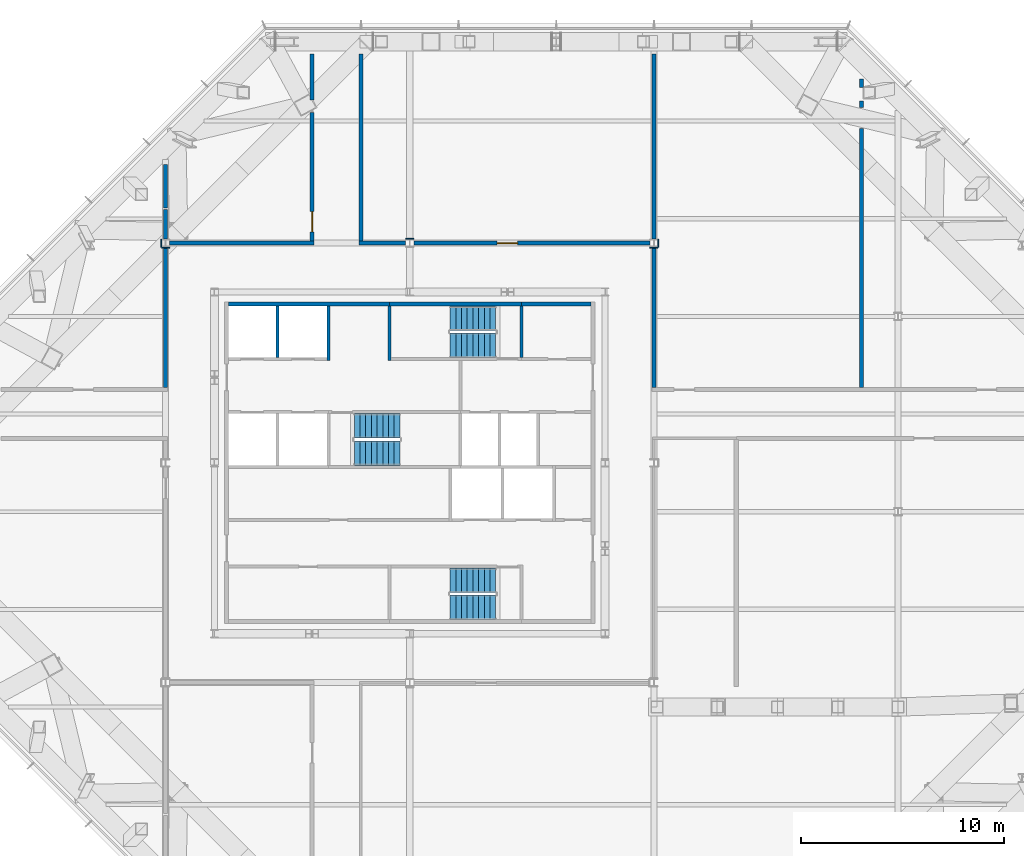
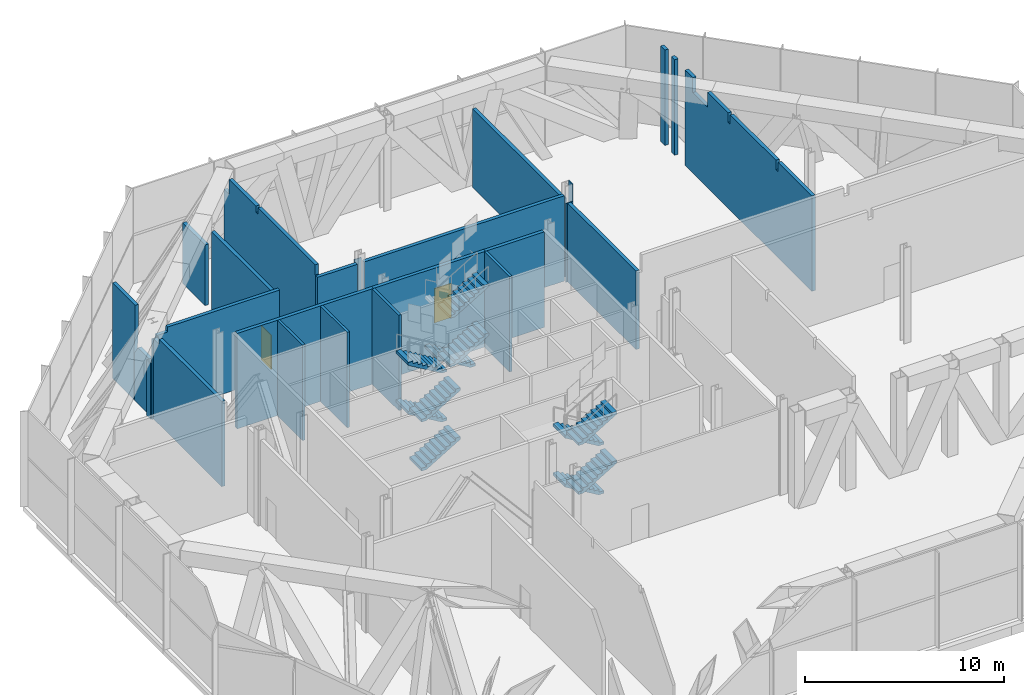
# One storey, part 15 of 18: 26 walls, 11 stair flights, 2 doors, 2 openings, 3 elements without a shape of their own.
"""IFC4 building model written with IfcOpenShell, lengths in metres."""

from ifc_helpers import new_model, si_unit, direction, frame, frame_2d, origin, place, context, subcontext, project, spatial, polyline, rectangle, outline, extrude, material, layer, layer_set, type_object, element, fill, aggregate, save


model = new_model("IFC4")

# Units and contexts
model_context = context("Model", 3, precision=1e-05, world=origin(), true_north=direction((0.0, 1.0)))
body_context = subcontext(model_context, "Body", "Model", "MODEL_VIEW")
ifc_project = project(units=[si_unit("LENGTHUNIT", "METRE"), si_unit("AREAUNIT", "SQUARE_METRE"), si_unit("VOLUMEUNIT", "CUBIC_METRE"), si_unit("PLANEANGLEUNIT", "RADIAN"), si_unit("MASSUNIT", "GRAM", prefix="KILO")], contexts=[model_context])

# Site, building, storey
site_placement = place(None, origin())
site = spatial("IfcSite", under=ifc_project, at=site_placement, CompositionType="ELEMENT")
building_placement = place(site_placement, origin())
building = spatial("IfcBuilding", under=site, at=building_placement, Name="Cairn Pilgrim Tower", CompositionType="ELEMENT")
storey_placement = place(building_placement, frame((0.0, 0.0, 204.60009765625)))
storey = spatial("IfcBuildingStorey", under=building, at=storey_placement, Name="L52", CompositionType="ELEMENT", Elevation=204.60009765625)

# Walls
ifc_material_1 = material(Name="Concrete C32/40", Category="concrete")
ifc_layer_1 = layer(ifc_material_1, 0.199951171875)
ifc_layer_set_1 = layer_set([ifc_layer_1], Name="CORE OUTER WALL 200 EI 120")
wall_type_1 = type_object("IfcWallType", Name="CORE OUTER WALL 200 EI 120", PredefinedType="SOLIDWALL", material=ifc_layer_set_1)
wall_1_placement = place(storey_placement, frame((-1.699951171875, 10.199951171875, 0.0), z_axis=(0.0, 0.0, 1.0), x_axis=(1.0, 0.0, 0.0)))
element("IfcWall", 1, at=wall_1_placement, inside=storey, type_object=wall_type_1, Name="CW:L52:H12-1", PredefinedType="SOLIDWALL", context=body_context, shape_type="SweptSolid", body=[
    extrude(rectangle(XDim=7.89990234375, YDim=0.199951171875, at=frame_2d((3.949951171875, 0.0))), origin(), (0.0, 0.0, 1.0), 5.849853515625),
])
wall_2_placement = place(storey_placement, frame((12.699951171875, 10.199951171875, 0.0), z_axis=(0.0, 0.0, 1.0), x_axis=(1.0, 0.0, 0.0)))
element("IfcWall", 2, at=wall_2_placement, inside=storey, type_object=wall_type_1, Name="CW:L52:H12-3", PredefinedType="SOLIDWALL", context=body_context, shape_type="SweptSolid", body=[
    extrude(rectangle(XDim=3.400146484375, YDim=0.199951171875, at=frame_2d((1.7001953125, 0.0))), origin(), (0.0, 0.0, 1.0), 5.849853515625),
])
ifc_layer_2 = layer(ifc_material_1, 0.14990234375)
ifc_layer_set_2 = layer_set([ifc_layer_2], Name="CORE SHAFT WALL 150 EI 120")
wall_type_2 = type_object("IfcWallType", Name="CORE SHAFT WALL 150 EI 120", PredefinedType="SOLIDWALL", material=ifc_layer_set_2)
wall_3_placement = place(storey_placement, frame((0.699951171875, 7.574951171875, 0.0), z_axis=(0.0, 0.0, 1.0), x_axis=(0.0, 1.0, 0.0)))
element("IfcWall", 3, at=wall_3_placement, inside=storey, type_object=wall_type_2, Name="CW:L52:V15", PredefinedType="SOLIDWALL", context=body_context, shape_type="SweptSolid", body=[
    extrude(rectangle(XDim=2.525146484375, YDim=0.14990234375, at=frame_2d((1.2626953125, 0.0))), origin(), (0.0, 0.0, 1.0), 5.849853515625),
])
wall_4_placement = place(storey_placement, frame((3.199951171875, 7.425048828125, 0.0), z_axis=(0.0, 0.0, 1.0), x_axis=(0.0, 1.0, 0.0)))
element("IfcWall", 4, at=wall_4_placement, inside=storey, type_object=wall_type_2, Name="CW:L52:V17", PredefinedType="SOLIDWALL", context=body_context, shape_type="SweptSolid", body=[
    extrude(rectangle(XDim=2.675048828125, YDim=0.14990234375, at=frame_2d((1.33740234375, 0.0))), origin(), (0.0, 0.0, 1.0), 5.849853515625),
])
ifc_material_2 = material(Name="Gypsum partition")
ifc_layer_3 = layer(ifc_material_2, 0.050048828125)
ifc_layer_set_3 = layer_set([ifc_layer_3], Name="PARTITION 50 DRYWALL EI 120")
wall_type_3 = type_object("IfcWallType", Name="PARTITION 50 DRYWALL EI 120", PredefinedType="PARTITIONING", material=ifc_layer_set_3)
wall_5_placement = place(storey_placement, frame((-5.0244140625, 13.00341796875, 0.0), z_axis=(0.0, 0.0, 1.0), x_axis=(0.0, 1.0, 0.0)))
element("IfcWall", 5, at=wall_5_placement, inside=storey, type_object=wall_type_3, Name="COLUMN CASING WC08", PredefinedType="PARTITIONING", context=body_context, shape_type="SweptSolid", body=[
    extrude(rectangle(XDim=0.39306640625, YDim=0.050048828125, at=frame_2d((0.196533203125, 0.0))), origin(), (0.0, 0.0, 1.0), 3.423828125),
])
wall_6_placement = place(storey_placement, frame((19.424560546875, 13.00341796875, 0.0), z_axis=(0.0, 0.0, 1.0), x_axis=(0.0, 1.0, 0.0)))
element("IfcWall", 6, at=wall_6_placement, inside=storey, type_object=wall_type_3, Name="COLUMN CASING WC09", PredefinedType="PARTITIONING", context=body_context, shape_type="SweptSolid", body=[
    extrude(rectangle(XDim=0.39306640625, YDim=0.050048828125, at=frame_2d((0.196533203125, 0.0))), origin(), (0.0, 0.0, 1.0), 5.849853515625),
])
wall_7_placement = place(storey_placement, frame((-4.99951171875, 12.978515625, 0.0), z_axis=(0.0, 0.0, 1.0), x_axis=(1.0, 0.0, 0.0)))
element("IfcWall", 7, at=wall_7_placement, inside=storey, type_object=wall_type_3, Name="COLUMN CASING WC10", PredefinedType="PARTITIONING", context=body_context, shape_type="SweptSolid", body=[
    extrude(rectangle(XDim=0.39892578125, YDim=0.050048828125, at=frame_2d((0.199462890625, 0.0))), origin(), (0.0, 0.0, 1.0), 4.929931640625),
])
wall_8_placement = place(storey_placement, frame((7.00048828125, 13.42138671875, 0.0), z_axis=(0.0, 0.0, 1.0), x_axis=(1.0, 0.0, 0.0)))
element("IfcWall", 8, at=wall_8_placement, inside=storey, type_object=wall_type_3, Name="COLUMN CASING WC11", PredefinedType="PARTITIONING", context=body_context, shape_type="SweptSolid", body=[
    extrude(rectangle(XDim=0.39892578125, YDim=0.050048828125, at=frame_2d((0.199462890625, 0.0))), origin(), (0.0, 0.0, 1.0), 5.329833984375),
])
wall_9_placement = place(storey_placement, frame((19.00048828125, 12.978515625, 0.0), z_axis=(0.0, 0.0, 1.0), x_axis=(1.0, 0.0, 0.0)))
element("IfcWall", 9, at=wall_9_placement, inside=storey, type_object=wall_type_3, Name="COLUMN CASING WC12", PredefinedType="PARTITIONING", context=body_context, shape_type="SweptSolid", body=[
    extrude(rectangle(XDim=0.39892578125, YDim=0.050048828125, at=frame_2d((0.199462890625, 0.0))), origin(), (0.0, 0.0, 1.0), 4.822021484375),
])
ifc_layer_4 = layer(ifc_material_2, 0.199951171875)
ifc_layer_set_4 = layer_set([ifc_layer_4], Name="SHAFT WALL 200 GYPSUM EI 120")
wall_type_4 = type_object("IfcWallType", Name="SHAFT WALL 200 GYPSUM EI 120", PredefinedType="PARTITIONING", material=ifc_layer_set_4)
wall_10_placement = place(storey_placement, frame((-4.800048828125, 6.10009765625, 0.0), z_axis=(0.0, 0.0, 1.0), x_axis=(0.0, 1.0, 0.0)))
element("IfcWall", 10, at=wall_10_placement, inside=storey, type_object=wall_type_4, Name="PARTITION W019", PredefinedType="PARTITIONING", context=body_context, shape_type="SweptSolid", body=[
    extrude(outline(polyline([(0.0, 0.0), (6.9033203125, 0.0), (6.903564453125, 4.929931640625), (6.290771484375, 4.929931640625), (6.288818359375, 5.22998046875), (0.0, 5.22998046875), (0.0, 0.0)])), frame((0.0, 0.10009765625, 0.0), z_axis=(0.0, -1.0, 0.0), x_axis=(1.0, 0.0, 0.0)), (0.0, 0.0, 1.0), 0.199951171875),
])
wall_11_placement = place(storey_placement, frame((19.199951171875, 6.10009765625, 0.0), z_axis=(0.0, 0.0, 1.0), x_axis=(0.0, 1.0, 0.0)))
element("IfcWall", 11, at=wall_11_placement, inside=storey, type_object=wall_type_4, Name="PARTITION W020", PredefinedType="PARTITIONING", context=body_context, shape_type="SweptSolid", body=[
    extrude(rectangle(XDim=6.9033203125, YDim=0.199951171875, at=frame_2d((3.45166015625, 0.0))), origin(), (0.0, 0.0, 1.0), 4.822021484375),
])
wall_12_placement = place(storey_placement, frame((29.39990234375, 6.10009765625, 0.0), z_axis=(0.0, 0.0, 1.0), x_axis=(0.0, 1.0, 0.0)))
element("IfcWall", 12, at=wall_12_placement, inside=storey, type_object=wall_type_4, Name="PARTITION W021", PredefinedType="PARTITIONING", context=body_context, shape_type="SweptSolid", body=[
    extrude(outline(polyline([(0.0, 0.0), (12.732177734375, 0.0), (12.732421875, 5.849853515625), (11.963623046875, 5.849853515625), (11.961669921875, 4.929931640625), (10.49072265625, 4.929931640625), (10.48876953125, 5.849853515625), (8.405029296875, 5.849853515625), (8.403076171875, 5.27978515625), (8.195068359375, 5.27978515625), (8.193115234375, 5.849853515625), (3.60498046875, 5.849853515625), (3.60302734375, 5.27978515625), (3.39501953125, 5.27978515625), (3.39306640625, 5.849853515625), (0.0, 5.849853515625), (0.0, 0.0)])), frame((0.0, 0.10009765625, 0.0), z_axis=(0.0, -1.0, 0.0), x_axis=(1.0, 0.0, 0.0)), (0.0, 0.0, 1.0), 0.199951171875),
])
wall_13_placement = place(storey_placement, frame((-4.6005859375, 13.199951171875, 0.0), z_axis=(0.0, 0.0, 1.0), x_axis=(1.0, 0.0, 0.0)))
element("IfcWall", 13, at=wall_13_placement, inside=storey, type_object=wall_type_4, Name="PARTITION W022", PredefinedType="PARTITIONING", context=body_context, shape_type="SweptSolid", body=[
    extrude(outline(polyline([(0.0, 0.0), (7.1005859375, 0.0), (7.1005859375, 5.22998046875), (0.609619140625, 5.22998046875), (0.607666015625, 4.929931640625), (0.0, 4.929931640625), (0.0, 0.0)])), frame((0.0, 0.10009765625, 0.0), z_axis=(0.0, -1.0, 0.0), x_axis=(1.0, 0.0, 0.0)), (0.0, 0.0, 1.0), 0.199951171875),
])
wall_14_placement = place(storey_placement, frame((4.699951171875, 13.199951171875, 0.0), z_axis=(0.0, 0.0, 1.0), x_axis=(1.0, 0.0, 0.0)))
element("IfcWall", 14, at=wall_14_placement, inside=storey, type_object=wall_type_4, Name="PARTITION W023", PredefinedType="PARTITIONING", context=body_context, shape_type="SweptSolid", body=[
    extrude(rectangle(XDim=2.300537109375, YDim=0.199951171875, at=frame_2d((1.150390625, 0.0))), origin(), (0.0, 0.0, 1.0), 5.22998046875),
])

# Wall, opening, door
wall_15_placement = place(storey_placement, frame((7.3994140625, 13.199951171875, 0.0), z_axis=(0.0, 0.0, 1.0), x_axis=(1.0, 0.0, 0.0)))
wall_15 = element("IfcWall", 15, at=wall_15_placement, inside=storey, type_object=wall_type_4, Name="PARTITION W024", PredefinedType="PARTITIONING", context=body_context, shape_type="SweptSolid", body=[
    extrude(rectangle(XDim=11.60107421875, YDim=0.199951171875, at=frame_2d((5.800537109375, 0.0))), origin(), (0.0, 0.0, 1.0), 5.22998046875),
])
opening_1_placement = place(wall_15_placement, frame((4.1005859375, 0.0, 0.0)))
opening_1 = element("IfcOpeningElement", 16, at=opening_1_placement, cuts=wall_15, Name="Opening 5203", PredefinedType="OPENING", context=body_context, shape_type="SweptSolid", body=[
    extrude(rectangle(XDim=1.0, YDim=2.10009765625, at=frame_2d((0.5, 1.050048828125))), frame((0.0, 0.10986328125, 0.0), z_axis=(0.0, -1.0, 0.0), x_axis=(1.0, 0.0, 0.0)), (0.0, 0.0, 1.0), 0.219970703125),
])
ifc_material_3 = material(Name="Steel-faced fire door leaf", Category="steel")
door_type = type_object("IfcDoorType", Name="FIRE DOOR 1000x2100 FD60S", OperationType="NOTDEFINED", PredefinedType="DOOR", material=ifc_material_3)
door_1_placement = place(opening_1_placement, frame((1.0, 0.0, 0.0), z_axis=(0.0, 0.0, 1.0), x_axis=(-1.0, 0.0, 0.0)))
door_1 = element("IfcDoor", 17, at=door_1_placement, inside=storey, type_object=door_type, Name="DOOR 5203", OperationType="SINGLE_SWING_LEFT", OverallHeight=2.10009765625, OverallWidth=1.0, PredefinedType="DOOR", context=body_context, shape_type="SweptSolid", body=[
    extrude(rectangle(XDim=1.0, YDim=2.10009765625, at=frame_2d((0.5, 1.050048828125))), frame((0.0, 0.02490234375, 0.0), z_axis=(0.0, -1.0, 0.0), x_axis=(1.0, 0.0, 0.0)), (0.0, 0.0, 1.0), 0.050048828125),
])
fill(opening_1, door_1)

wall_16_placement = place(storey_placement, frame((2.39990234375, 13.300048828125, 0.0), z_axis=(0.0, 0.0, 1.0), x_axis=(0.0, 1.0, 0.0)))
wall_16 = element("IfcWall", 18, at=wall_16_placement, inside=storey, type_object=wall_type_4, Name="PARTITION W025", PredefinedType="PARTITIONING", context=body_context, shape_type="SweptSolid", body=[
    extrude(outline(polyline([(0.0, 0.0), (6.322998046875, 0.0), (6.322998046875, 1.46240234375), (6.322998046875, 2.9248046875), (6.322998046875, 4.387451171875), (6.322998046875, 4.929931640625), (0.0, 4.929931640625), (0.0, 4.387451171875), (0.0, 2.9248046875), (0.0, 1.46240234375), (0.0, 0.0)])), frame((0.0, 0.10009765625, 0.0), z_axis=(0.0, -1.0, 0.0), x_axis=(1.0, 0.0, 0.0)), (0.0, 0.0, 1.0), 0.199951171875),
])
opening_2_placement = place(wall_16_placement, frame((0.449951171875, 0.0, 0.0)))
opening_2 = element("IfcOpeningElement", 19, at=opening_2_placement, cuts=wall_16, Name="Opening 5202", PredefinedType="OPENING", context=body_context, shape_type="SweptSolid", body=[
    extrude(rectangle(XDim=1.0, YDim=2.10009765625, at=frame_2d((0.5, 1.050048828125))), frame((0.0, 0.10986328125, 0.0), z_axis=(0.0, -1.0, 0.0), x_axis=(1.0, 0.0, 0.0)), (0.0, 0.0, 1.0), 0.219970703125),
])
door_2_placement = place(opening_2_placement, frame((1.0, 0.0, 0.0), z_axis=(0.0, 0.0, 1.0), x_axis=(-1.0, 0.0, 0.0)))
door_2 = element("IfcDoor", 20, at=door_2_placement, inside=storey, type_object=door_type, Name="DOOR 5202", OperationType="SINGLE_SWING_LEFT", OverallHeight=2.10009765625, OverallWidth=1.0, PredefinedType="DOOR", context=body_context, shape_type="SweptSolid", body=[
    extrude(rectangle(XDim=1.0, YDim=2.10009765625, at=frame_2d((0.5, 1.050048828125))), frame((0.0, 0.02490234375, 0.0), z_axis=(0.0, -1.0, 0.0), x_axis=(1.0, 0.0, 0.0)), (0.0, 0.0, 1.0), 0.050048828125),
])
fill(opening_2, door_2)

# Walls
wall_17_placement = place(storey_placement, frame((4.800048828125, 13.300048828125, 0.0), z_axis=(0.0, 0.0, 1.0), x_axis=(0.0, 1.0, 0.0)))
element("IfcWall", 21, at=wall_17_placement, inside=storey, type_object=wall_type_4, Name="PARTITION W026", PredefinedType="PARTITIONING", context=body_context, shape_type="SweptSolid", body=[
    extrude(outline(polyline([(0.0, 0.0), (9.199951171875, 0.0), (9.199951171875, 4.929931640625), (8.69091796875, 4.929931640625), (8.688720703125, 5.849853515625), (5.985107421875, 5.849853515625), (5.98291015625, 5.469970703125), (5.81494140625, 5.469970703125), (5.81298828125, 5.849853515625), (0.050048828125, 5.849853515625), (0.048095703125, 5.22998046875), (0.0, 5.22998046875), (0.0, 0.0)])), frame((0.0, 0.10009765625, 0.0), z_axis=(0.0, -1.0, 0.0), x_axis=(1.0, 0.0, 0.0)), (0.0, 0.0, 1.0), 0.199951171875),
])
wall_18_placement = place(storey_placement, frame((-4.800048828125, 13.396484375, 0.0), z_axis=(0.0, 0.0, 1.0), x_axis=(0.0, 1.0, 0.0)))
element("IfcWall", 22, at=wall_18_placement, inside=storey, type_object=wall_type_4, Name="PARTITION W027", PredefinedType="PARTITIONING", context=body_context, shape_type="SweptSolid", body=[
    extrude(outline(polyline([(0.0, 0.0), (1.44677734375, 0.0), (1.44677734375, 1.46240234375), (1.44677734375, 2.9248046875), (1.119384765625, 3.423828125), (0.0, 3.423828125), (0.0, 2.9248046875), (0.0, 1.46240234375), (0.0, 0.0)])), frame((0.0, 0.10009765625, 0.0), z_axis=(0.0, -1.0, 0.0), x_axis=(1.0, 0.0, 0.0)), (0.0, 0.0, 1.0), 0.199951171875),
])
wall_19_placement = place(storey_placement, frame((19.199951171875, 13.396484375, 0.0), z_axis=(0.0, 0.0, 1.0), x_axis=(0.0, 1.0, 0.0)))
element("IfcWall", 23, at=wall_19_placement, inside=storey, type_object=wall_type_4, Name="PARTITION W028", PredefinedType="PARTITIONING", context=body_context, shape_type="SweptSolid", body=[
    extrude(rectangle(XDim=9.103515625, YDim=0.199951171875, at=frame_2d((4.5517578125, 0.0))), origin(), (0.0, 0.0, 1.0), 4.822021484375),
])
wall_20_placement = place(storey_placement, frame((-4.800048828125, 14.7939453125, 0.0), z_axis=(0.0, 0.0, 1.0), x_axis=(0.0, 1.0, 0.0)))
element("IfcWall", 24, at=wall_20_placement, inside=storey, type_object=wall_type_4, Name="PARTITION W029", PredefinedType="PARTITIONING", context=body_context, shape_type="SweptSolid", body=[
    extrude(outline(polyline([(0.13037109375, 0.0), (2.28515625, 0.0), (2.28515625, 1.46240234375), (2.28515625, 2.9248046875), (2.28515625, 4.387451171875), (2.28515625, 5.849853515625), (0.0, 5.849853515625), (0.0, 4.387451171875), (0.13037109375, 2.9248046875), (0.13037109375, 1.46240234375), (0.13037109375, 0.0)])), frame((0.0, 0.10009765625, 0.0), z_axis=(0.0, -1.0, 0.0), x_axis=(1.0, 0.0, 0.0)), (0.0, 0.0, 1.0), 0.199951171875),
])
wall_21_placement = place(storey_placement, frame((29.39990234375, 19.864013671875, 0.0), z_axis=(0.0, 0.0, 1.0), x_axis=(0.0, 1.0, 0.0)))
element("IfcWall", 25, at=wall_21_placement, inside=storey, type_object=wall_type_4, Name="PARTITION W030", PredefinedType="PARTITIONING", context=body_context, shape_type="SweptSolid", body=[
    extrude(outline(polyline([(0.0, 0.0), (0.33447265625, 0.0), (0.33447265625, 1.46240234375), (0.33447265625, 2.9248046875), (0.33447265625, 4.387451171875), (0.33447265625, 5.849853515625), (0.0, 5.849853515625), (0.0, 4.387451171875), (0.0, 2.9248046875), (0.0, 1.46240234375), (0.0, 0.0)])), frame((0.0, 0.10009765625, 0.0), z_axis=(0.0, -1.0, 0.0), x_axis=(1.0, 0.0, 0.0)), (0.0, 0.0, 1.0), 0.199951171875),
])
wall_22_placement = place(storey_placement, frame((2.39990234375, 20.24609375, 0.0), z_axis=(0.0, 0.0, 1.0), x_axis=(0.0, 1.0, 0.0)))
element("IfcWall", 26, at=wall_22_placement, inside=storey, type_object=wall_type_4, Name="PARTITION W031", PredefinedType="PARTITIONING", context=body_context, shape_type="SweptSolid", body=[
    extrude(outline(polyline([(0.0, 0.0), (2.25390625, 0.0), (2.25390625, 1.46240234375), (2.25390625, 2.9248046875), (2.25390625, 3.720947265625), (0.0, 3.720947265625), (0.0, 2.9248046875), (0.0, 1.46240234375), (0.0, 0.0)])), frame((0.0, 0.10009765625, 0.0), z_axis=(0.0, -1.0, 0.0), x_axis=(1.0, 0.0, 0.0)), (0.0, 0.0, 1.0), 0.199951171875),
])
wall_23_placement = place(storey_placement, frame((29.39990234375, 20.845947265625, 0.0), z_axis=(0.0, 0.0, 1.0), x_axis=(0.0, 1.0, 0.0)))
element("IfcWall", 27, at=wall_23_placement, inside=storey, type_object=wall_type_4, Name="PARTITION W032", PredefinedType="PARTITIONING", context=body_context, shape_type="SweptSolid", body=[
    extrude(outline(polyline([(0.0, 0.0), (0.43310546875, 0.0), (0.43310546875, 1.46240234375), (0.43310546875, 2.9248046875), (0.43310546875, 4.387451171875), (0.43310546875, 5.849853515625), (0.0, 5.849853515625), (0.0, 4.387451171875), (0.0, 2.9248046875), (0.0, 1.46240234375), (0.0, 0.0)])), frame((0.0, 0.10009765625, 0.0), z_axis=(0.0, -1.0, 0.0), x_axis=(1.0, 0.0, 0.0)), (0.0, 0.0, 1.0), 0.199951171875),
])
ifc_material_4 = material(Name="Concrete C35/45", Category="concrete")
ifc_layer_5 = layer(ifc_material_4, 0.14990234375)
ifc_layer_set_5 = layer_set([ifc_layer_5], Name="STAIR SHAFT WALL 150 EI 120")
wall_type_5 = type_object("IfcWallType", Name="STAIR SHAFT WALL 150 EI 120", PredefinedType="SOLIDWALL", material=ifc_layer_set_5)
wall_24_placement = place(storey_placement, frame((6.199951171875, 7.425048828125, 0.0), z_axis=(0.0, 0.0, 1.0), x_axis=(0.0, 1.0, 0.0)))
element("IfcWall", 28, at=wall_24_placement, inside=storey, type_object=wall_type_5, Name="CW:L52:V19", PredefinedType="SOLIDWALL", context=body_context, shape_type="SweptSolid", body=[
    extrude(rectangle(XDim=2.675048828125, YDim=0.14990234375, at=frame_2d((1.33740234375, 0.0))), origin(), (0.0, 0.0, 1.0), 5.849853515625),
])
wall_25_placement = place(storey_placement, frame((12.699951171875, 7.574951171875, 0.0), z_axis=(0.0, 0.0, 1.0), x_axis=(0.0, 1.0, 0.0)))
element("IfcWall", 29, at=wall_25_placement, inside=storey, type_object=wall_type_5, Name="CW:L52:V26", PredefinedType="SOLIDWALL", context=body_context, shape_type="SweptSolid", body=[
    extrude(rectangle(XDim=2.525146484375, YDim=0.14990234375, at=frame_2d((1.2626953125, 0.0))), origin(), (0.0, 0.0, 1.0), 5.849853515625),
])
ifc_layer_6 = layer(ifc_material_4, 0.199951171875)
ifc_layer_set_6 = layer_set([ifc_layer_6], Name="STAIR SHAFT WALL 200 EI 120")
wall_type_6 = type_object("IfcWallType", Name="STAIR SHAFT WALL 200 EI 120", PredefinedType="SOLIDWALL", material=ifc_layer_set_6)
wall_26_placement = place(storey_placement, frame((6.199951171875, 10.199951171875, 0.0), z_axis=(0.0, 0.0, 1.0), x_axis=(1.0, 0.0, 0.0)))
element("IfcWall", 30, at=wall_26_placement, inside=storey, type_object=wall_type_6, Name="CW:L52:H12-2", PredefinedType="SOLIDWALL", context=body_context, shape_type="SweptSolid", body=[
    extrude(rectangle(XDim=6.5, YDim=0.199951171875, at=frame_2d((3.25, 0.0))), origin(), (0.0, 0.0, 1.0), 5.849853515625),
])

# Stair, stair flights
stair_type = type_object("IfcStairType", Name="EXIT STAIR 1200", PredefinedType="HALF_TURN_STAIR", material=ifc_material_1)
stair_1_placement = place(storey_placement, origin())
stair_1 = element("IfcStair", 31, at=stair_1_placement, inside=storey, type_object=stair_type, Name="L52 Exit Stair A", PredefinedType="HALF_TURN_STAIR")
stair_flight_type = type_object("IfcStairFlightType", Name="STAIR FLIGHT 1200", PredefinedType="STRAIGHT", material=ifc_material_1)
stair_flight_1_placement = place(storey_placement, frame((11.425048828125, -3.375, 0.0), z_axis=(0.0, 0.0, 1.0), x_axis=(-1.0, 0.0, 0.0)))
stair_flight_1 = element("IfcStairFlight", 32, at=stair_flight_1_placement, type_object=stair_flight_type, Name="ST-A flight 1", NumberOfRisers=9, NumberOfTreads=8, PredefinedType="STRAIGHT", RiserHeight=0.166666667, TreadLength=0.28, context=body_context, shape_type="SweptSolid", body=[
    extrude(outline(polyline([(0.0, 0.0), (0.0, 0.166748046875), (0.280029296875, 0.166748046875), (0.280029296875, 0.333251953125), (0.56005859375, 0.333251953125), (0.56005859375, 0.5), (0.840087890625, 0.5), (0.840087890625, 0.666748046875), (1.1201171875, 0.666748046875), (1.1201171875, 0.833251953125), (1.39990234375, 0.833251953125), (1.39990234375, 1.0), (1.679931640625, 1.0), (1.679931640625, 1.166748046875), (1.9599609375, 1.166748046875), (1.9599609375, 1.333251953125), (2.239990234375, 1.333251953125), (2.239990234375, 1.5), (2.239990234375, 1.158935546875), (0.29296875, 0.0), (0.0, 0.0)])), frame((0.0, 0.60009765625, 0.0), z_axis=(0.0, -1.0, 0.0), x_axis=(1.0, 0.0, 0.0)), (0.0, 0.0, 1.0), 1.199951171875),
])
stair_flight_2_placement = place(storey_placement, frame((9.18505859375, -4.699951171875, 1.5), z_axis=(0.0, 0.0, 1.0), x_axis=(1.0, 0.0, 0.0)))
stair_flight_2 = element("IfcStairFlight", 33, at=stair_flight_2_placement, type_object=stair_flight_type, Name="ST-A flight 2", NumberOfRisers=9, NumberOfTreads=8, PredefinedType="STRAIGHT", RiserHeight=0.166666667, TreadLength=0.28, context=body_context, shape_type="SweptSolid", body=[
    extrude(outline(polyline([(0.0, 0.0), (0.0, 0.166748046875), (0.280029296875, 0.166748046875), (0.280029296875, 0.333251953125), (0.56005859375, 0.333251953125), (0.56005859375, 0.5), (0.840087890625, 0.5), (0.840087890625, 0.666748046875), (1.1201171875, 0.666748046875), (1.1201171875, 0.833251953125), (1.39990234375, 0.833251953125), (1.39990234375, 1.0), (1.679931640625, 1.0), (1.679931640625, 1.166748046875), (1.9599609375, 1.166748046875), (1.9599609375, 1.333251953125), (2.239990234375, 1.333251953125), (2.239990234375, 1.5), (2.239990234375, 1.158935546875), (0.29296875, 0.0), (0.0, 0.0)])), frame((0.0, 0.60009765625, 0.0), z_axis=(0.0, -1.0, 0.0), x_axis=(1.0, 0.0, 0.0)), (0.0, 0.0, 1.0), 1.199951171875),
])
stair_flight_3_placement = place(storey_placement, frame((11.425048828125, -3.375, 3.0), z_axis=(0.0, 0.0, 1.0), x_axis=(-1.0, 0.0, 0.0)))
stair_flight_3 = element("IfcStairFlight", 34, at=stair_flight_3_placement, type_object=stair_flight_type, Name="ST-A flight 3", NumberOfRisers=9, NumberOfTreads=8, PredefinedType="STRAIGHT", RiserHeight=0.166666667, TreadLength=0.28, context=body_context, shape_type="SweptSolid", body=[
    extrude(outline(polyline([(0.0, 0.0), (0.0, 0.166748046875), (0.280029296875, 0.166748046875), (0.280029296875, 0.333251953125), (0.56005859375, 0.333251953125), (0.56005859375, 0.5), (0.840087890625, 0.5), (0.840087890625, 0.666748046875), (1.1201171875, 0.666748046875), (1.1201171875, 0.833251953125), (1.39990234375, 0.833251953125), (1.39990234375, 1.0), (1.679931640625, 1.0), (1.679931640625, 1.166748046875), (1.9599609375, 1.166748046875), (1.9599609375, 1.333251953125), (2.239990234375, 1.333251953125), (2.239990234375, 1.5), (2.239990234375, 1.158935546875), (0.29296875, 0.0), (0.0, 0.0)])), frame((0.0, 0.60009765625, 0.0), z_axis=(0.0, -1.0, 0.0), x_axis=(1.0, 0.0, 0.0)), (0.0, 0.0, 1.0), 1.199951171875),
])
stair_flight_4_placement = place(storey_placement, frame((9.18505859375, -4.699951171875, 4.5), z_axis=(0.0, 0.0, 1.0), x_axis=(1.0, 0.0, 0.0)))
stair_flight_4 = element("IfcStairFlight", 35, at=stair_flight_4_placement, type_object=stair_flight_type, Name="ST-A flight 4", NumberOfRisers=9, NumberOfTreads=8, PredefinedType="STRAIGHT", RiserHeight=0.166666667, TreadLength=0.28, context=body_context, shape_type="SweptSolid", body=[
    extrude(outline(polyline([(0.0, 0.0), (0.0, 0.166748046875), (0.280029296875, 0.166748046875), (0.280029296875, 0.333251953125), (0.56005859375, 0.333251953125), (0.56005859375, 0.5), (0.840087890625, 0.5), (0.840087890625, 0.666748046875), (1.1201171875, 0.666748046875), (1.1201171875, 0.833251953125), (1.39990234375, 0.833251953125), (1.39990234375, 1.0), (1.679931640625, 1.0), (1.679931640625, 1.166748046875), (1.9599609375, 1.166748046875), (1.9599609375, 1.333251953125), (2.239990234375, 1.333251953125), (2.239990234375, 1.5), (2.239990234375, 1.158935546875), (0.29296875, 0.0), (0.0, 0.0)])), frame((0.0, 0.60009765625, 0.0), z_axis=(0.0, -1.0, 0.0), x_axis=(1.0, 0.0, 0.0)), (0.0, 0.0, 1.0), 1.199951171875),
])
aggregate(stair_1, [stair_flight_1, stair_flight_2, stair_flight_3, stair_flight_4])

stair_2_placement = place(storey_placement, origin())
stair_2 = element("IfcStair", 36, at=stair_2_placement, inside=storey, type_object=stair_type, Name="L52 Exit Stair B", PredefinedType="HALF_TURN_STAIR")
stair_flight_5_placement = place(storey_placement, frame((4.47509765625, 2.875, 0.0), z_axis=(0.0, 0.0, 1.0), x_axis=(1.0, 0.0, 0.0)))
stair_flight_5 = element("IfcStairFlight", 37, at=stair_flight_5_placement, type_object=stair_flight_type, Name="ST-B flight 1", NumberOfRisers=9, NumberOfTreads=8, PredefinedType="STRAIGHT", RiserHeight=0.166666667, TreadLength=0.28, context=body_context, shape_type="SweptSolid", body=[
    extrude(outline(polyline([(0.0, 0.0), (0.0, 0.166748046875), (0.280029296875, 0.166748046875), (0.280029296875, 0.333251953125), (0.56005859375, 0.333251953125), (0.56005859375, 0.5), (0.840087890625, 0.5), (0.840087890625, 0.666748046875), (1.1201171875, 0.666748046875), (1.1201171875, 0.833251953125), (1.39990234375, 0.833251953125), (1.39990234375, 1.0), (1.679931640625, 1.0), (1.679931640625, 1.166748046875), (1.9599609375, 1.166748046875), (1.9599609375, 1.333251953125), (2.239990234375, 1.333251953125), (2.239990234375, 1.5), (2.239990234375, 1.158935546875), (0.29296875, 0.0), (0.0, 0.0)])), frame((0.0, 0.60009765625, 0.0), z_axis=(0.0, -1.0, 0.0), x_axis=(1.0, 0.0, 0.0)), (0.0, 0.0, 1.0), 1.199951171875),
])
stair_flight_6_placement = place(storey_placement, frame((6.715087890625, 4.22509765625, 1.5), z_axis=(0.0, 0.0, 1.0), x_axis=(-1.0, 0.0, 0.0)))
stair_flight_6 = element("IfcStairFlight", 38, at=stair_flight_6_placement, type_object=stair_flight_type, Name="ST-B flight 2", NumberOfRisers=9, NumberOfTreads=8, PredefinedType="STRAIGHT", RiserHeight=0.166666667, TreadLength=0.28, context=body_context, shape_type="SweptSolid", body=[
    extrude(outline(polyline([(0.0, 0.0), (0.0, 0.166748046875), (0.280029296875, 0.166748046875), (0.280029296875, 0.333251953125), (0.56005859375, 0.333251953125), (0.56005859375, 0.5), (0.840087890625, 0.5), (0.840087890625, 0.666748046875), (1.1201171875, 0.666748046875), (1.1201171875, 0.833251953125), (1.39990234375, 0.833251953125), (1.39990234375, 1.0), (1.679931640625, 1.0), (1.679931640625, 1.166748046875), (1.9599609375, 1.166748046875), (1.9599609375, 1.333251953125), (2.239990234375, 1.333251953125), (2.239990234375, 1.5), (2.239990234375, 1.158935546875), (0.29296875, 0.0), (0.0, 0.0)])), frame((0.0, 0.60009765625, 0.0), z_axis=(0.0, -1.0, 0.0), x_axis=(1.0, 0.0, 0.0)), (0.0, 0.0, 1.0), 1.199951171875),
])
stair_flight_7_placement = place(storey_placement, frame((4.47509765625, 2.875, 3.0), z_axis=(0.0, 0.0, 1.0), x_axis=(1.0, 0.0, 0.0)))
stair_flight_7 = element("IfcStairFlight", 39, at=stair_flight_7_placement, type_object=stair_flight_type, Name="ST-B flight 3", NumberOfRisers=9, NumberOfTreads=8, PredefinedType="STRAIGHT", RiserHeight=0.166666667, TreadLength=0.28, context=body_context, shape_type="SweptSolid", body=[
    extrude(outline(polyline([(0.0, 0.0), (0.0, 0.166748046875), (0.280029296875, 0.166748046875), (0.280029296875, 0.333251953125), (0.56005859375, 0.333251953125), (0.56005859375, 0.5), (0.840087890625, 0.5), (0.840087890625, 0.666748046875), (1.1201171875, 0.666748046875), (1.1201171875, 0.833251953125), (1.39990234375, 0.833251953125), (1.39990234375, 1.0), (1.679931640625, 1.0), (1.679931640625, 1.166748046875), (1.9599609375, 1.166748046875), (1.9599609375, 1.333251953125), (2.239990234375, 1.333251953125), (2.239990234375, 1.5), (2.239990234375, 1.158935546875), (0.29296875, 0.0), (0.0, 0.0)])), frame((0.0, 0.60009765625, 0.0), z_axis=(0.0, -1.0, 0.0), x_axis=(1.0, 0.0, 0.0)), (0.0, 0.0, 1.0), 1.199951171875),
])
stair_flight_8_placement = place(storey_placement, frame((6.715087890625, 4.22509765625, 4.5), z_axis=(0.0, 0.0, 1.0), x_axis=(-1.0, 0.0, 0.0)))
stair_flight_8 = element("IfcStairFlight", 40, at=stair_flight_8_placement, type_object=stair_flight_type, Name="ST-B flight 4", NumberOfRisers=9, NumberOfTreads=8, PredefinedType="STRAIGHT", RiserHeight=0.166666667, TreadLength=0.28, context=body_context, shape_type="SweptSolid", body=[
    extrude(outline(polyline([(0.0, 0.0), (0.0, 0.166748046875), (0.280029296875, 0.166748046875), (0.280029296875, 0.333251953125), (0.56005859375, 0.333251953125), (0.56005859375, 0.5), (0.840087890625, 0.5), (0.840087890625, 0.666748046875), (1.1201171875, 0.666748046875), (1.1201171875, 0.833251953125), (1.39990234375, 0.833251953125), (1.39990234375, 1.0), (1.679931640625, 1.0), (1.679931640625, 1.166748046875), (1.9599609375, 1.166748046875), (1.9599609375, 1.333251953125), (2.239990234375, 1.333251953125), (2.239990234375, 1.5), (2.239990234375, 1.158935546875), (0.29296875, 0.0), (0.0, 0.0)])), frame((0.0, 0.60009765625, 0.0), z_axis=(0.0, -1.0, 0.0), x_axis=(1.0, 0.0, 0.0)), (0.0, 0.0, 1.0), 1.199951171875),
])
aggregate(stair_2, [stair_flight_5, stair_flight_6, stair_flight_7, stair_flight_8])

stair_3_placement = place(storey_placement, origin())
stair_3 = element("IfcStair", 41, at=stair_3_placement, inside=storey, type_object=stair_type, Name="L52 Exit Stair C", PredefinedType="HALF_TURN_STAIR")
stair_flight_9_placement = place(storey_placement, frame((11.425048828125, 9.5, 0.0), z_axis=(0.0, 0.0, 1.0), x_axis=(-1.0, 0.0, 0.0)))
stair_flight_9 = element("IfcStairFlight", 42, at=stair_flight_9_placement, type_object=stair_flight_type, Name="ST-C flight 1", NumberOfRisers=9, NumberOfTreads=8, PredefinedType="STRAIGHT", RiserHeight=0.166666667, TreadLength=0.28, context=body_context, shape_type="SweptSolid", body=[
    extrude(outline(polyline([(0.0, 0.0), (0.0, 0.166748046875), (0.280029296875, 0.166748046875), (0.280029296875, 0.333251953125), (0.56005859375, 0.333251953125), (0.56005859375, 0.5), (0.840087890625, 0.5), (0.840087890625, 0.666748046875), (1.1201171875, 0.666748046875), (1.1201171875, 0.833251953125), (1.39990234375, 0.833251953125), (1.39990234375, 1.0), (1.679931640625, 1.0), (1.679931640625, 1.166748046875), (1.9599609375, 1.166748046875), (1.9599609375, 1.333251953125), (2.239990234375, 1.333251953125), (2.239990234375, 1.5), (2.239990234375, 1.158935546875), (0.29296875, 0.0), (0.0, 0.0)])), frame((0.0, 0.60009765625, 0.0), z_axis=(0.0, -1.0, 0.0), x_axis=(1.0, 0.0, 0.0)), (0.0, 0.0, 1.0), 1.199951171875),
])
stair_flight_10_placement = place(storey_placement, frame((9.18505859375, 8.175048828125, 1.5), z_axis=(0.0, 0.0, 1.0), x_axis=(1.0, 0.0, 0.0)))
stair_flight_10 = element("IfcStairFlight", 43, at=stair_flight_10_placement, type_object=stair_flight_type, Name="ST-C flight 2", NumberOfRisers=9, NumberOfTreads=8, PredefinedType="STRAIGHT", RiserHeight=0.166666667, TreadLength=0.28, context=body_context, shape_type="SweptSolid", body=[
    extrude(outline(polyline([(0.0, 0.0), (0.0, 0.166748046875), (0.280029296875, 0.166748046875), (0.280029296875, 0.333251953125), (0.56005859375, 0.333251953125), (0.56005859375, 0.5), (0.840087890625, 0.5), (0.840087890625, 0.666748046875), (1.1201171875, 0.666748046875), (1.1201171875, 0.833251953125), (1.39990234375, 0.833251953125), (1.39990234375, 1.0), (1.679931640625, 1.0), (1.679931640625, 1.166748046875), (1.9599609375, 1.166748046875), (1.9599609375, 1.333251953125), (2.239990234375, 1.333251953125), (2.239990234375, 1.5), (2.239990234375, 1.158935546875), (0.29296875, 0.0), (0.0, 0.0)])), frame((0.0, 0.60009765625, 0.0), z_axis=(0.0, -1.0, 0.0), x_axis=(1.0, 0.0, 0.0)), (0.0, 0.0, 1.0), 1.199951171875),
])
stair_flight_11_placement = place(storey_placement, frame((9.18505859375, 8.175048828125, 4.5), z_axis=(0.0, 0.0, 1.0), x_axis=(1.0, 0.0, 0.0)))
stair_flight_11 = element("IfcStairFlight", 44, at=stair_flight_11_placement, type_object=stair_flight_type, Name="ST-C flight 4", NumberOfRisers=9, NumberOfTreads=8, PredefinedType="STRAIGHT", RiserHeight=0.166666667, TreadLength=0.28, context=body_context, shape_type="SweptSolid", body=[
    extrude(outline(polyline([(0.0, 0.0), (0.0, 0.166748046875), (0.280029296875, 0.166748046875), (0.280029296875, 0.333251953125), (0.56005859375, 0.333251953125), (0.56005859375, 0.5), (0.840087890625, 0.5), (0.840087890625, 0.666748046875), (1.1201171875, 0.666748046875), (1.1201171875, 0.833251953125), (1.39990234375, 0.833251953125), (1.39990234375, 1.0), (1.679931640625, 1.0), (1.679931640625, 1.166748046875), (1.9599609375, 1.166748046875), (1.9599609375, 1.333251953125), (2.239990234375, 1.333251953125), (2.239990234375, 1.5), (2.239990234375, 1.158935546875), (0.29296875, 0.0), (0.0, 0.0)])), frame((0.0, 0.60009765625, 0.0), z_axis=(0.0, -1.0, 0.0), x_axis=(1.0, 0.0, 0.0)), (0.0, 0.0, 1.0), 1.199951171875),
])
aggregate(stair_3, [stair_flight_9, stair_flight_10, stair_flight_11])

save(model, "model.ifc")
